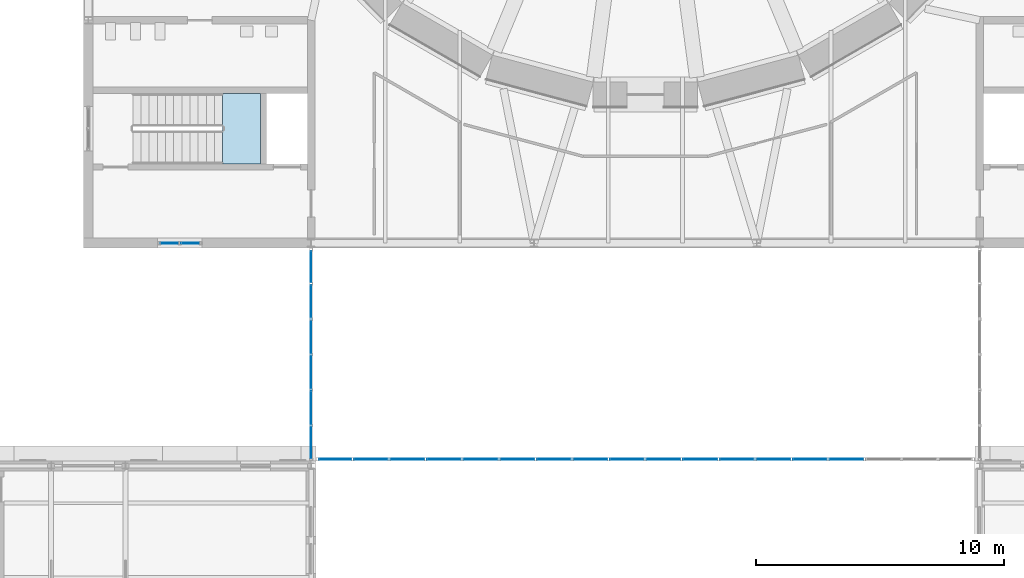
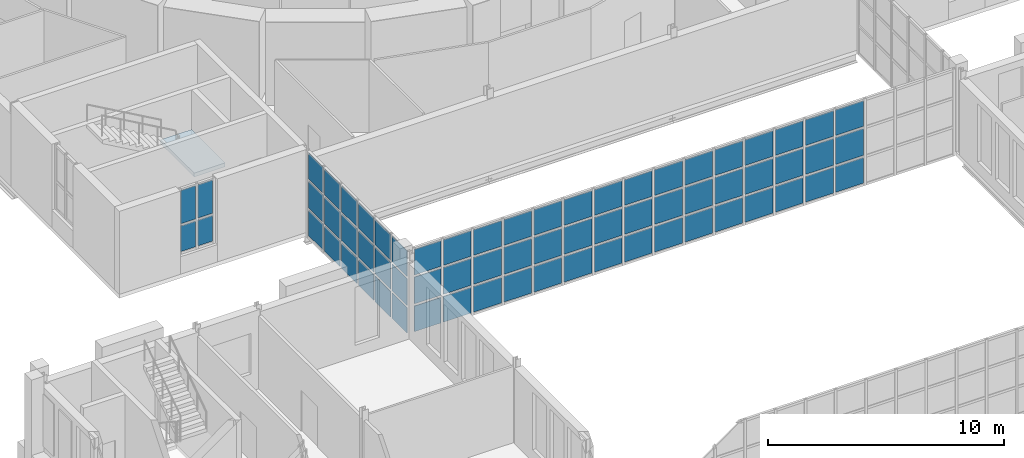
# One storey, part 66 of 131: 67 plates, 1 slab, 4 elements without a shape of their own.
"""IFC4 building model written with IfcOpenShell, lengths in metres."""

from ifc_helpers import new_model, si_unit, direction, frame, origin, origin_2d, place, context, subcontext, project, spatial, polyline, rectangle, outline, extrude, material, layer, layer_set, type_object, element, aggregate, save


model = new_model("IFC4")

# Units and contexts
model_context = context("Model", 3, precision=1e-05, world=origin(), true_north=direction((0.0, 1.0)))
body_context = subcontext(model_context, "Body", "Model", "MODEL_VIEW")
ifc_project = project(units=[si_unit("LENGTHUNIT", "METRE"), si_unit("AREAUNIT", "SQUARE_METRE"), si_unit("VOLUMEUNIT", "CUBIC_METRE"), si_unit("PLANEANGLEUNIT", "RADIAN"), si_unit("MASSUNIT", "GRAM", prefix="KILO")], contexts=[model_context])

# Site, building, storey
site_placement = place(None, origin())
site = spatial("IfcSite", under=ifc_project, at=site_placement, CompositionType="ELEMENT")
building_placement = place(site_placement, origin())
building = spatial("IfcBuilding", under=site, at=building_placement, Name="Golden Quay Civic Hall", CompositionType="ELEMENT")
storey_placement = place(building_placement, frame((0.0, 0.0, 9.89990234375)))
storey = spatial("IfcBuildingStorey", under=building, at=storey_placement, Name="L02", CompositionType="ELEMENT", Elevation=9.89990234375)

# Curtain wall, plates
ifc_material_1 = material(Name="Fire-resisting glass and steel", Category="steel")
curtain_wall_type_1 = type_object("IfcCurtainWallType", Name="Fire-resisting glazed curtain wall EI 120", PredefinedType="NOTDEFINED", material=ifc_material_1)
curtain_wall_1_placement = place(storey_placement, origin())
curtain_wall_1 = element("IfcCurtainWall", 1, at=curtain_wall_1_placement, inside=storey, type_object=curtain_wall_type_1, Name="CW3 curtain wall", PredefinedType="NOTDEFINED")
ifc_material_2 = material(Name="Fire-resisting laminated glass", Category="glass")
ifc_layer_1 = layer(ifc_material_2, 0.0400390625)
ifc_layer_set_1 = layer_set([ifc_layer_1], Name="Fire-resisting glazed panel 40")
plate_type_1 = type_object("IfcPlateType", Name="Fire-resisting glazed panel 40", PredefinedType="CURTAIN_PANEL", material=ifc_layer_set_1)
plate_1_placement = place(storey_placement, frame((72.968994140625, 54.27001953125, -0.080078125), z_axis=(0.0, 0.0, 1.0), x_axis=(1.0, 0.0, 0.0)))
plate_1 = element("IfcPlate", 2, at=plate_1_placement, type_object=plate_type_1, Name="CW3 panel 1.1", PredefinedType="CURTAIN_PANEL", context=body_context, shape_type="SweptSolid", body=[
    extrude(rectangle(XDim=1.2978515625, YDim=0.0400390625, at=origin_2d()), origin(), (0.0, 0.0, 1.0), 1.320068359375),
])
plate_2_placement = place(storey_placement, frame((72.968994140625, 54.27001953125, 1.360107421875), z_axis=(0.0, 0.0, 1.0), x_axis=(1.0, 0.0, 0.0)))
plate_2 = element("IfcPlate", 3, at=plate_2_placement, type_object=plate_type_1, Name="CW3 panel 1.2", PredefinedType="CURTAIN_PANEL", context=body_context, shape_type="SweptSolid", body=[
    extrude(rectangle(XDim=1.2978515625, YDim=0.0400390625, at=origin_2d()), origin(), (0.0, 0.0, 1.0), 1.3798828125),
])
plate_3_placement = place(storey_placement, frame((72.968994140625, 54.27001953125, 2.85986328125), z_axis=(0.0, 0.0, 1.0), x_axis=(1.0, 0.0, 0.0)))
plate_3 = element("IfcPlate", 4, at=plate_3_placement, type_object=plate_type_1, Name="CW3 panel 1.3", PredefinedType="CURTAIN_PANEL", context=body_context, shape_type="SweptSolid", body=[
    extrude(rectangle(XDim=1.2978515625, YDim=0.0400390625, at=origin_2d()), origin(), (0.0, 0.0, 1.0), 1.320068359375),
])
plate_4_placement = place(storey_placement, frame((74.416748046875, 54.27001953125, -0.080078125), z_axis=(0.0, 0.0, 1.0), x_axis=(1.0, 0.0, 0.0)))
plate_4 = element("IfcPlate", 5, at=plate_4_placement, type_object=plate_type_1, Name="CW3 panel 2.1", PredefinedType="CURTAIN_PANEL", context=body_context, shape_type="SweptSolid", body=[
    extrude(rectangle(XDim=1.357666015625, YDim=0.0400390625, at=origin_2d()), origin(), (0.0, 0.0, 1.0), 1.320068359375),
])
plate_5_placement = place(storey_placement, frame((74.416748046875, 54.27001953125, 1.360107421875), z_axis=(0.0, 0.0, 1.0), x_axis=(1.0, 0.0, 0.0)))
plate_5 = element("IfcPlate", 6, at=plate_5_placement, type_object=plate_type_1, Name="CW3 panel 2.2", PredefinedType="CURTAIN_PANEL", context=body_context, shape_type="SweptSolid", body=[
    extrude(rectangle(XDim=1.357666015625, YDim=0.0400390625, at=origin_2d()), origin(), (0.0, 0.0, 1.0), 1.3798828125),
])
plate_6_placement = place(storey_placement, frame((74.416748046875, 54.27001953125, 2.85986328125), z_axis=(0.0, 0.0, 1.0), x_axis=(1.0, 0.0, 0.0)))
plate_6 = element("IfcPlate", 7, at=plate_6_placement, type_object=plate_type_1, Name="CW3 panel 2.3", PredefinedType="CURTAIN_PANEL", context=body_context, shape_type="SweptSolid", body=[
    extrude(rectangle(XDim=1.357666015625, YDim=0.0400390625, at=origin_2d()), origin(), (0.0, 0.0, 1.0), 1.320068359375),
])
plate_7_placement = place(storey_placement, frame((75.89453125, 54.27001953125, -0.080078125), z_axis=(0.0, 0.0, 1.0), x_axis=(1.0, 0.0, 0.0)))
plate_7 = element("IfcPlate", 8, at=plate_7_placement, type_object=plate_type_1, Name="CW3 panel 3.1", PredefinedType="CURTAIN_PANEL", context=body_context, shape_type="SweptSolid", body=[
    extrude(rectangle(XDim=1.357666015625, YDim=0.0400390625, at=origin_2d()), origin(), (0.0, 0.0, 1.0), 1.320068359375),
])
plate_8_placement = place(storey_placement, frame((75.89453125, 54.27001953125, 1.360107421875), z_axis=(0.0, 0.0, 1.0), x_axis=(1.0, 0.0, 0.0)))
plate_8 = element("IfcPlate", 9, at=plate_8_placement, type_object=plate_type_1, Name="CW3 panel 3.2", PredefinedType="CURTAIN_PANEL", context=body_context, shape_type="SweptSolid", body=[
    extrude(rectangle(XDim=1.357666015625, YDim=0.0400390625, at=origin_2d()), origin(), (0.0, 0.0, 1.0), 1.3798828125),
])
plate_9_placement = place(storey_placement, frame((75.89453125, 54.27001953125, 2.85986328125), z_axis=(0.0, 0.0, 1.0), x_axis=(1.0, 0.0, 0.0)))
plate_9 = element("IfcPlate", 10, at=plate_9_placement, type_object=plate_type_1, Name="CW3 panel 3.3", PredefinedType="CURTAIN_PANEL", context=body_context, shape_type="SweptSolid", body=[
    extrude(rectangle(XDim=1.357666015625, YDim=0.0400390625, at=origin_2d()), origin(), (0.0, 0.0, 1.0), 1.320068359375),
])
plate_10_placement = place(storey_placement, frame((77.372314453125, 54.27001953125, -0.080078125), z_axis=(0.0, 0.0, 1.0), x_axis=(1.0, 0.0, 0.0)))
plate_10 = element("IfcPlate", 11, at=plate_10_placement, type_object=plate_type_1, Name="CW3 panel 4.1", PredefinedType="CURTAIN_PANEL", context=body_context, shape_type="SweptSolid", body=[
    extrude(rectangle(XDim=1.357666015625, YDim=0.0400390625, at=origin_2d()), origin(), (0.0, 0.0, 1.0), 1.320068359375),
])
plate_11_placement = place(storey_placement, frame((77.372314453125, 54.27001953125, 1.360107421875), z_axis=(0.0, 0.0, 1.0), x_axis=(1.0, 0.0, 0.0)))
plate_11 = element("IfcPlate", 12, at=plate_11_placement, type_object=plate_type_1, Name="CW3 panel 4.2", PredefinedType="CURTAIN_PANEL", context=body_context, shape_type="SweptSolid", body=[
    extrude(rectangle(XDim=1.357666015625, YDim=0.0400390625, at=origin_2d()), origin(), (0.0, 0.0, 1.0), 1.3798828125),
])
plate_12_placement = place(storey_placement, frame((77.372314453125, 54.27001953125, 2.85986328125), z_axis=(0.0, 0.0, 1.0), x_axis=(1.0, 0.0, 0.0)))
plate_12 = element("IfcPlate", 13, at=plate_12_placement, type_object=plate_type_1, Name="CW3 panel 4.3", PredefinedType="CURTAIN_PANEL", context=body_context, shape_type="SweptSolid", body=[
    extrude(rectangle(XDim=1.357666015625, YDim=0.0400390625, at=origin_2d()), origin(), (0.0, 0.0, 1.0), 1.320068359375),
])
plate_13_placement = place(storey_placement, frame((78.85009765625, 54.27001953125, -0.080078125), z_axis=(0.0, 0.0, 1.0), x_axis=(1.0, 0.0, 0.0)))
plate_13 = element("IfcPlate", 14, at=plate_13_placement, type_object=plate_type_1, Name="CW3 panel 5.1", PredefinedType="CURTAIN_PANEL", context=body_context, shape_type="SweptSolid", body=[
    extrude(rectangle(XDim=1.357666015625, YDim=0.0400390625, at=origin_2d()), origin(), (0.0, 0.0, 1.0), 1.320068359375),
])
plate_14_placement = place(storey_placement, frame((78.85009765625, 54.27001953125, 1.360107421875), z_axis=(0.0, 0.0, 1.0), x_axis=(1.0, 0.0, 0.0)))
plate_14 = element("IfcPlate", 15, at=plate_14_placement, type_object=plate_type_1, Name="CW3 panel 5.2", PredefinedType="CURTAIN_PANEL", context=body_context, shape_type="SweptSolid", body=[
    extrude(rectangle(XDim=1.357666015625, YDim=0.0400390625, at=origin_2d()), origin(), (0.0, 0.0, 1.0), 1.3798828125),
])
plate_15_placement = place(storey_placement, frame((78.85009765625, 54.27001953125, 2.85986328125), z_axis=(0.0, 0.0, 1.0), x_axis=(1.0, 0.0, 0.0)))
plate_15 = element("IfcPlate", 16, at=plate_15_placement, type_object=plate_type_1, Name="CW3 panel 5.3", PredefinedType="CURTAIN_PANEL", context=body_context, shape_type="SweptSolid", body=[
    extrude(rectangle(XDim=1.357666015625, YDim=0.0400390625, at=origin_2d()), origin(), (0.0, 0.0, 1.0), 1.320068359375),
])
plate_16_placement = place(storey_placement, frame((80.327880859375, 54.27001953125, -0.080078125), z_axis=(0.0, 0.0, 1.0), x_axis=(1.0, 0.0, 0.0)))
plate_16 = element("IfcPlate", 17, at=plate_16_placement, type_object=plate_type_1, Name="CW3 panel 6.1", PredefinedType="CURTAIN_PANEL", context=body_context, shape_type="SweptSolid", body=[
    extrude(rectangle(XDim=1.357666015625, YDim=0.0400390625, at=origin_2d()), origin(), (0.0, 0.0, 1.0), 1.320068359375),
])
plate_17_placement = place(storey_placement, frame((80.327880859375, 54.27001953125, 1.360107421875), z_axis=(0.0, 0.0, 1.0), x_axis=(1.0, 0.0, 0.0)))
plate_17 = element("IfcPlate", 18, at=plate_17_placement, type_object=plate_type_1, Name="CW3 panel 6.2", PredefinedType="CURTAIN_PANEL", context=body_context, shape_type="SweptSolid", body=[
    extrude(rectangle(XDim=1.357666015625, YDim=0.0400390625, at=origin_2d()), origin(), (0.0, 0.0, 1.0), 1.3798828125),
])
plate_18_placement = place(storey_placement, frame((80.327880859375, 54.27001953125, 2.85986328125), z_axis=(0.0, 0.0, 1.0), x_axis=(1.0, 0.0, 0.0)))
plate_18 = element("IfcPlate", 19, at=plate_18_placement, type_object=plate_type_1, Name="CW3 panel 6.3", PredefinedType="CURTAIN_PANEL", context=body_context, shape_type="SweptSolid", body=[
    extrude(rectangle(XDim=1.357666015625, YDim=0.0400390625, at=origin_2d()), origin(), (0.0, 0.0, 1.0), 1.320068359375),
])
plate_19_placement = place(storey_placement, frame((81.8056640625, 54.27001953125, -0.080078125), z_axis=(0.0, 0.0, 1.0), x_axis=(1.0, 0.0, 0.0)))
plate_19 = element("IfcPlate", 20, at=plate_19_placement, type_object=plate_type_1, Name="CW3 panel 7.1", PredefinedType="CURTAIN_PANEL", context=body_context, shape_type="SweptSolid", body=[
    extrude(rectangle(XDim=1.357666015625, YDim=0.0400390625, at=origin_2d()), origin(), (0.0, 0.0, 1.0), 1.320068359375),
])
plate_20_placement = place(storey_placement, frame((81.8056640625, 54.27001953125, 1.360107421875), z_axis=(0.0, 0.0, 1.0), x_axis=(1.0, 0.0, 0.0)))
plate_20 = element("IfcPlate", 21, at=plate_20_placement, type_object=plate_type_1, Name="CW3 panel 7.2", PredefinedType="CURTAIN_PANEL", context=body_context, shape_type="SweptSolid", body=[
    extrude(rectangle(XDim=1.357666015625, YDim=0.0400390625, at=origin_2d()), origin(), (0.0, 0.0, 1.0), 1.3798828125),
])
plate_21_placement = place(storey_placement, frame((81.8056640625, 54.27001953125, 2.85986328125), z_axis=(0.0, 0.0, 1.0), x_axis=(1.0, 0.0, 0.0)))
plate_21 = element("IfcPlate", 22, at=plate_21_placement, type_object=plate_type_1, Name="CW3 panel 7.3", PredefinedType="CURTAIN_PANEL", context=body_context, shape_type="SweptSolid", body=[
    extrude(rectangle(XDim=1.357666015625, YDim=0.0400390625, at=origin_2d()), origin(), (0.0, 0.0, 1.0), 1.320068359375),
])
plate_22_placement = place(storey_placement, frame((83.283447265625, 54.27001953125, -0.080078125), z_axis=(0.0, 0.0, 1.0), x_axis=(1.0, 0.0, 0.0)))
plate_22 = element("IfcPlate", 23, at=plate_22_placement, type_object=plate_type_1, Name="CW3 panel 8.1", PredefinedType="CURTAIN_PANEL", context=body_context, shape_type="SweptSolid", body=[
    extrude(rectangle(XDim=1.357666015625, YDim=0.0400390625, at=origin_2d()), origin(), (0.0, 0.0, 1.0), 1.320068359375),
])
plate_23_placement = place(storey_placement, frame((83.283447265625, 54.27001953125, 1.360107421875), z_axis=(0.0, 0.0, 1.0), x_axis=(1.0, 0.0, 0.0)))
plate_23 = element("IfcPlate", 24, at=plate_23_placement, type_object=plate_type_1, Name="CW3 panel 8.2", PredefinedType="CURTAIN_PANEL", context=body_context, shape_type="SweptSolid", body=[
    extrude(rectangle(XDim=1.357666015625, YDim=0.0400390625, at=origin_2d()), origin(), (0.0, 0.0, 1.0), 1.3798828125),
])
plate_24_placement = place(storey_placement, frame((83.283447265625, 54.27001953125, 2.85986328125), z_axis=(0.0, 0.0, 1.0), x_axis=(1.0, 0.0, 0.0)))
plate_24 = element("IfcPlate", 25, at=plate_24_placement, type_object=plate_type_1, Name="CW3 panel 8.3", PredefinedType="CURTAIN_PANEL", context=body_context, shape_type="SweptSolid", body=[
    extrude(rectangle(XDim=1.357666015625, YDim=0.0400390625, at=origin_2d()), origin(), (0.0, 0.0, 1.0), 1.320068359375),
])
plate_25_placement = place(storey_placement, frame((84.76123046875, 54.27001953125, -0.080078125), z_axis=(0.0, 0.0, 1.0), x_axis=(1.0, 0.0, 0.0)))
plate_25 = element("IfcPlate", 26, at=plate_25_placement, type_object=plate_type_1, Name="CW3 panel 9.1", PredefinedType="CURTAIN_PANEL", context=body_context, shape_type="SweptSolid", body=[
    extrude(rectangle(XDim=1.357666015625, YDim=0.0400390625, at=origin_2d()), origin(), (0.0, 0.0, 1.0), 1.320068359375),
])
plate_26_placement = place(storey_placement, frame((84.76123046875, 54.27001953125, 1.360107421875), z_axis=(0.0, 0.0, 1.0), x_axis=(1.0, 0.0, 0.0)))
plate_26 = element("IfcPlate", 27, at=plate_26_placement, type_object=plate_type_1, Name="CW3 panel 9.2", PredefinedType="CURTAIN_PANEL", context=body_context, shape_type="SweptSolid", body=[
    extrude(rectangle(XDim=1.357666015625, YDim=0.0400390625, at=origin_2d()), origin(), (0.0, 0.0, 1.0), 1.3798828125),
])
plate_27_placement = place(storey_placement, frame((84.76123046875, 54.27001953125, 2.85986328125), z_axis=(0.0, 0.0, 1.0), x_axis=(1.0, 0.0, 0.0)))
plate_27 = element("IfcPlate", 28, at=plate_27_placement, type_object=plate_type_1, Name="CW3 panel 9.3", PredefinedType="CURTAIN_PANEL", context=body_context, shape_type="SweptSolid", body=[
    extrude(rectangle(XDim=1.357666015625, YDim=0.0400390625, at=origin_2d()), origin(), (0.0, 0.0, 1.0), 1.320068359375),
])
plate_28_placement = place(storey_placement, frame((86.23876953125, 54.27001953125, -0.080078125), z_axis=(0.0, 0.0, 1.0), x_axis=(1.0, 0.0, 0.0)))
plate_28 = element("IfcPlate", 29, at=plate_28_placement, type_object=plate_type_1, Name="CW3 panel 10.1", PredefinedType="CURTAIN_PANEL", context=body_context, shape_type="SweptSolid", body=[
    extrude(rectangle(XDim=1.357666015625, YDim=0.0400390625, at=origin_2d()), origin(), (0.0, 0.0, 1.0), 1.320068359375),
])
plate_29_placement = place(storey_placement, frame((86.23876953125, 54.27001953125, 1.360107421875), z_axis=(0.0, 0.0, 1.0), x_axis=(1.0, 0.0, 0.0)))
plate_29 = element("IfcPlate", 30, at=plate_29_placement, type_object=plate_type_1, Name="CW3 panel 10.2", PredefinedType="CURTAIN_PANEL", context=body_context, shape_type="SweptSolid", body=[
    extrude(rectangle(XDim=1.357666015625, YDim=0.0400390625, at=origin_2d()), origin(), (0.0, 0.0, 1.0), 1.3798828125),
])
plate_30_placement = place(storey_placement, frame((86.23876953125, 54.27001953125, 2.85986328125), z_axis=(0.0, 0.0, 1.0), x_axis=(1.0, 0.0, 0.0)))
plate_30 = element("IfcPlate", 31, at=plate_30_placement, type_object=plate_type_1, Name="CW3 panel 10.3", PredefinedType="CURTAIN_PANEL", context=body_context, shape_type="SweptSolid", body=[
    extrude(rectangle(XDim=1.357666015625, YDim=0.0400390625, at=origin_2d()), origin(), (0.0, 0.0, 1.0), 1.320068359375),
])
plate_31_placement = place(storey_placement, frame((87.716552734375, 54.27001953125, -0.080078125), z_axis=(0.0, 0.0, 1.0), x_axis=(1.0, 0.0, 0.0)))
plate_31 = element("IfcPlate", 32, at=plate_31_placement, type_object=plate_type_1, Name="CW3 panel 11.1", PredefinedType="CURTAIN_PANEL", context=body_context, shape_type="SweptSolid", body=[
    extrude(rectangle(XDim=1.357666015625, YDim=0.0400390625, at=origin_2d()), origin(), (0.0, 0.0, 1.0), 1.320068359375),
])
plate_32_placement = place(storey_placement, frame((87.716552734375, 54.27001953125, 1.360107421875), z_axis=(0.0, 0.0, 1.0), x_axis=(1.0, 0.0, 0.0)))
plate_32 = element("IfcPlate", 33, at=plate_32_placement, type_object=plate_type_1, Name="CW3 panel 11.2", PredefinedType="CURTAIN_PANEL", context=body_context, shape_type="SweptSolid", body=[
    extrude(rectangle(XDim=1.357666015625, YDim=0.0400390625, at=origin_2d()), origin(), (0.0, 0.0, 1.0), 1.3798828125),
])
plate_33_placement = place(storey_placement, frame((87.716552734375, 54.27001953125, 2.85986328125), z_axis=(0.0, 0.0, 1.0), x_axis=(1.0, 0.0, 0.0)))
plate_33 = element("IfcPlate", 34, at=plate_33_placement, type_object=plate_type_1, Name="CW3 panel 11.3", PredefinedType="CURTAIN_PANEL", context=body_context, shape_type="SweptSolid", body=[
    extrude(rectangle(XDim=1.357666015625, YDim=0.0400390625, at=origin_2d()), origin(), (0.0, 0.0, 1.0), 1.320068359375),
])
plate_34_placement = place(storey_placement, frame((89.1943359375, 54.27001953125, -0.080078125), z_axis=(0.0, 0.0, 1.0), x_axis=(1.0, 0.0, 0.0)))
plate_34 = element("IfcPlate", 35, at=plate_34_placement, type_object=plate_type_1, Name="CW3 panel 12.1", PredefinedType="CURTAIN_PANEL", context=body_context, shape_type="SweptSolid", body=[
    extrude(rectangle(XDim=1.357666015625, YDim=0.0400390625, at=origin_2d()), origin(), (0.0, 0.0, 1.0), 1.320068359375),
])
plate_35_placement = place(storey_placement, frame((89.1943359375, 54.27001953125, 1.360107421875), z_axis=(0.0, 0.0, 1.0), x_axis=(1.0, 0.0, 0.0)))
plate_35 = element("IfcPlate", 36, at=plate_35_placement, type_object=plate_type_1, Name="CW3 panel 12.2", PredefinedType="CURTAIN_PANEL", context=body_context, shape_type="SweptSolid", body=[
    extrude(rectangle(XDim=1.357666015625, YDim=0.0400390625, at=origin_2d()), origin(), (0.0, 0.0, 1.0), 1.3798828125),
])
plate_36_placement = place(storey_placement, frame((89.1943359375, 54.27001953125, 2.85986328125), z_axis=(0.0, 0.0, 1.0), x_axis=(1.0, 0.0, 0.0)))
plate_36 = element("IfcPlate", 37, at=plate_36_placement, type_object=plate_type_1, Name="CW3 panel 12.3", PredefinedType="CURTAIN_PANEL", context=body_context, shape_type="SweptSolid", body=[
    extrude(rectangle(XDim=1.357666015625, YDim=0.0400390625, at=origin_2d()), origin(), (0.0, 0.0, 1.0), 1.320068359375),
])
plate_37_placement = place(storey_placement, frame((90.672119140625, 54.27001953125, -0.080078125), z_axis=(0.0, 0.0, 1.0), x_axis=(1.0, 0.0, 0.0)))
plate_37 = element("IfcPlate", 38, at=plate_37_placement, type_object=plate_type_1, Name="CW3 panel 13.1", PredefinedType="CURTAIN_PANEL", context=body_context, shape_type="SweptSolid", body=[
    extrude(rectangle(XDim=1.357666015625, YDim=0.0400390625, at=origin_2d()), origin(), (0.0, 0.0, 1.0), 1.320068359375),
])
plate_38_placement = place(storey_placement, frame((90.672119140625, 54.27001953125, 1.360107421875), z_axis=(0.0, 0.0, 1.0), x_axis=(1.0, 0.0, 0.0)))
plate_38 = element("IfcPlate", 39, at=plate_38_placement, type_object=plate_type_1, Name="CW3 panel 13.2", PredefinedType="CURTAIN_PANEL", context=body_context, shape_type="SweptSolid", body=[
    extrude(rectangle(XDim=1.357666015625, YDim=0.0400390625, at=origin_2d()), origin(), (0.0, 0.0, 1.0), 1.3798828125),
])
plate_39_placement = place(storey_placement, frame((90.672119140625, 54.27001953125, 2.85986328125), z_axis=(0.0, 0.0, 1.0), x_axis=(1.0, 0.0, 0.0)))
plate_39 = element("IfcPlate", 40, at=plate_39_placement, type_object=plate_type_1, Name="CW3 panel 13.3", PredefinedType="CURTAIN_PANEL", context=body_context, shape_type="SweptSolid", body=[
    extrude(rectangle(XDim=1.357666015625, YDim=0.0400390625, at=origin_2d()), origin(), (0.0, 0.0, 1.0), 1.320068359375),
])
plate_40_placement = place(storey_placement, frame((92.14990234375, 54.27001953125, -0.080078125), z_axis=(0.0, 0.0, 1.0), x_axis=(1.0, 0.0, 0.0)))
plate_40 = element("IfcPlate", 41, at=plate_40_placement, type_object=plate_type_1, Name="CW3 panel 14.1", PredefinedType="CURTAIN_PANEL", context=body_context, shape_type="SweptSolid", body=[
    extrude(rectangle(XDim=1.357666015625, YDim=0.0400390625, at=origin_2d()), origin(), (0.0, 0.0, 1.0), 1.320068359375),
])
plate_41_placement = place(storey_placement, frame((92.14990234375, 54.27001953125, 1.360107421875), z_axis=(0.0, 0.0, 1.0), x_axis=(1.0, 0.0, 0.0)))
plate_41 = element("IfcPlate", 42, at=plate_41_placement, type_object=plate_type_1, Name="CW3 panel 14.2", PredefinedType="CURTAIN_PANEL", context=body_context, shape_type="SweptSolid", body=[
    extrude(rectangle(XDim=1.357666015625, YDim=0.0400390625, at=origin_2d()), origin(), (0.0, 0.0, 1.0), 1.3798828125),
])
plate_42_placement = place(storey_placement, frame((92.14990234375, 54.27001953125, 2.85986328125), z_axis=(0.0, 0.0, 1.0), x_axis=(1.0, 0.0, 0.0)))
plate_42 = element("IfcPlate", 43, at=plate_42_placement, type_object=plate_type_1, Name="CW3 panel 14.3", PredefinedType="CURTAIN_PANEL", context=body_context, shape_type="SweptSolid", body=[
    extrude(rectangle(XDim=1.357666015625, YDim=0.0400390625, at=origin_2d()), origin(), (0.0, 0.0, 1.0), 1.320068359375),
])
plate_43_placement = place(storey_placement, frame((93.627685546875, 54.27001953125, -0.080078125), z_axis=(0.0, 0.0, 1.0), x_axis=(1.0, 0.0, 0.0)))
plate_43 = element("IfcPlate", 44, at=plate_43_placement, type_object=plate_type_1, Name="CW3 panel 15.1", PredefinedType="CURTAIN_PANEL", context=body_context, shape_type="SweptSolid", body=[
    extrude(rectangle(XDim=1.357666015625, YDim=0.0400390625, at=origin_2d()), origin(), (0.0, 0.0, 1.0), 1.320068359375),
])
plate_44_placement = place(storey_placement, frame((93.627685546875, 54.27001953125, 1.360107421875), z_axis=(0.0, 0.0, 1.0), x_axis=(1.0, 0.0, 0.0)))
plate_44 = element("IfcPlate", 45, at=plate_44_placement, type_object=plate_type_1, Name="CW3 panel 15.2", PredefinedType="CURTAIN_PANEL", context=body_context, shape_type="SweptSolid", body=[
    extrude(rectangle(XDim=1.357666015625, YDim=0.0400390625, at=origin_2d()), origin(), (0.0, 0.0, 1.0), 1.3798828125),
])
plate_45_placement = place(storey_placement, frame((93.627685546875, 54.27001953125, 2.85986328125), z_axis=(0.0, 0.0, 1.0), x_axis=(1.0, 0.0, 0.0)))
plate_45 = element("IfcPlate", 46, at=plate_45_placement, type_object=plate_type_1, Name="CW3 panel 15.3", PredefinedType="CURTAIN_PANEL", context=body_context, shape_type="SweptSolid", body=[
    extrude(rectangle(XDim=1.357666015625, YDim=0.0400390625, at=origin_2d()), origin(), (0.0, 0.0, 1.0), 1.320068359375),
])
aggregate(curtain_wall_1, [plate_1, plate_2, plate_3, plate_4, plate_5, plate_6, plate_7, plate_8, plate_9, plate_10, plate_11, plate_12, plate_13, plate_14, plate_15, plate_16, plate_17, plate_18, plate_19, plate_20, plate_21, plate_22, plate_23, plate_24, plate_25, plate_26, plate_27, plate_28, plate_29, plate_30, plate_31, plate_32, plate_33, plate_34, plate_35, plate_36, plate_37, plate_38, plate_39, plate_40, plate_41, plate_42, plate_43, plate_44, plate_45])

ifc_material_3 = material(Name="Fire-resisting glass and steel", Category="steel")
curtain_wall_type_2 = type_object("IfcCurtainWallType", Name="Fire-resisting glazed stair curtain wall EI 120", PredefinedType="NOTDEFINED", material=ifc_material_3)
curtain_wall_2_placement = place(storey_placement, origin())
curtain_wall_2 = element("IfcCurtainWall", 47, at=curtain_wall_2_placement, inside=storey, type_object=curtain_wall_type_2, Name="CW4 stair curtain wall", PredefinedType="NOTDEFINED")
ifc_material_4 = material(Name="Fire-resisting laminated glass", Category="glass")
ifc_layer_2 = layer(ifc_material_4, 0.0400390625)
ifc_layer_set_2 = layer_set([ifc_layer_2], Name="Fire-resisting glazed stair panel 40")
plate_type_2 = type_object("IfcPlateType", Name="Fire-resisting glazed stair panel 40", PredefinedType="CURTAIN_PANEL", material=ifc_layer_set_2)
plate_46_placement = place(storey_placement, frame((66.280029296875, 63.0, 1.02001953125), z_axis=(0.0, 0.0, 1.0), x_axis=(1.0, 0.0, 0.0)))
plate_46 = element("IfcPlate", 48, at=plate_46_placement, type_object=plate_type_2, Name="CW4 panel 1.1", PredefinedType="CURTAIN_PANEL", context=body_context, shape_type="SweptSolid", body=[
    extrude(rectangle(XDim=0.719970703125, YDim=0.0400390625, at=origin_2d()), origin(), (0.0, 0.0, 1.0), 1.320068359375),
])
plate_47_placement = place(storey_placement, frame((66.280029296875, 63.0, 2.4599609375), z_axis=(0.0, 0.0, 1.0), x_axis=(1.0, 0.0, 0.0)))
plate_47 = element("IfcPlate", 49, at=plate_47_placement, type_object=plate_type_2, Name="CW4 panel 1.2", PredefinedType="CURTAIN_PANEL", context=body_context, shape_type="SweptSolid", body=[
    extrude(rectangle(XDim=0.719970703125, YDim=0.0400390625, at=origin_2d()), origin(), (0.0, 0.0, 1.0), 1.719970703125),
])
plate_48_placement = place(storey_placement, frame((67.1201171875, 63.0, 1.02001953125), z_axis=(0.0, 0.0, 1.0), x_axis=(1.0, 0.0, 0.0)))
plate_48 = element("IfcPlate", 50, at=plate_48_placement, type_object=plate_type_2, Name="CW4 panel 2.1", PredefinedType="CURTAIN_PANEL", context=body_context, shape_type="SweptSolid", body=[
    extrude(rectangle(XDim=0.719970703125, YDim=0.0400390625, at=origin_2d()), origin(), (0.0, 0.0, 1.0), 1.320068359375),
])
plate_49_placement = place(storey_placement, frame((67.1201171875, 63.0, 2.4599609375), z_axis=(0.0, 0.0, 1.0), x_axis=(1.0, 0.0, 0.0)))
plate_49 = element("IfcPlate", 51, at=plate_49_placement, type_object=plate_type_2, Name="CW4 panel 2.2", PredefinedType="CURTAIN_PANEL", context=body_context, shape_type="SweptSolid", body=[
    extrude(rectangle(XDim=0.719970703125, YDim=0.0400390625, at=origin_2d()), origin(), (0.0, 0.0, 1.0), 1.719970703125),
])
aggregate(curtain_wall_2, [plate_46, plate_47, plate_48, plate_49])

ifc_material_5 = material(Name="Glass and aluminium", Category="aluminium")
curtain_wall_type_3 = type_object("IfcCurtainWallType", Name="Glazed curtain wall 1500 module", PredefinedType="NOTDEFINED", material=ifc_material_5)
curtain_wall_3_placement = place(storey_placement, origin())
curtain_wall_3 = element("IfcCurtainWall", 52, at=curtain_wall_3_placement, inside=storey, type_object=curtain_wall_type_3, Name="CW1 curtain wall", PredefinedType="NOTDEFINED")
ifc_material_6 = material(Name="Laminated glass", Category="glass")
ifc_layer_3 = layer(ifc_material_6, 0.028076171875)
ifc_layer_set_3 = layer_set([ifc_layer_3], Name="Laminated glass panel 28")
plate_type_3 = type_object("IfcPlateType", Name="Laminated glass panel 28", PredefinedType="CURTAIN_PANEL", material=ifc_layer_set_3)
plate_50_placement = place(storey_placement, frame((72.0, 54.94677734375, -0.080078125), z_axis=(0.0, 0.0, 1.0), x_axis=(0.0, 1.0, 0.0)))
plate_50 = element("IfcPlate", 53, at=plate_50_placement, type_object=plate_type_3, Name="CW1 panel 1.1", PredefinedType="CURTAIN_PANEL", context=body_context, shape_type="SweptSolid", body=[
    extrude(rectangle(XDim=1.25341796875, YDim=0.028076171875, at=origin_2d()), origin(), (0.0, 0.0, 1.0), 1.320068359375),
])
plate_51_placement = place(storey_placement, frame((72.0, 54.94677734375, 1.360107421875), z_axis=(0.0, 0.0, 1.0), x_axis=(0.0, 1.0, 0.0)))
plate_51 = element("IfcPlate", 54, at=plate_51_placement, type_object=plate_type_3, Name="CW1 panel 1.2", PredefinedType="CURTAIN_PANEL", context=body_context, shape_type="SweptSolid", body=[
    extrude(rectangle(XDim=1.25341796875, YDim=0.028076171875, at=origin_2d()), origin(), (0.0, 0.0, 1.0), 1.3798828125),
])
plate_52_placement = place(storey_placement, frame((72.0, 54.94677734375, 2.85986328125), z_axis=(0.0, 0.0, 1.0), x_axis=(0.0, 1.0, 0.0)))
plate_52 = element("IfcPlate", 55, at=plate_52_placement, type_object=plate_type_3, Name="CW1 panel 1.3", PredefinedType="CURTAIN_PANEL", context=body_context, shape_type="SweptSolid", body=[
    extrude(rectangle(XDim=1.25341796875, YDim=0.028076171875, at=origin_2d()), origin(), (0.0, 0.0, 1.0), 1.320068359375),
])
plate_53_placement = place(storey_placement, frame((72.0, 56.35009765625, -0.080078125), z_axis=(0.0, 0.0, 1.0), x_axis=(0.0, 1.0, 0.0)))
plate_53 = element("IfcPlate", 56, at=plate_53_placement, type_object=plate_type_3, Name="CW1 panel 2.1", PredefinedType="CURTAIN_PANEL", context=body_context, shape_type="SweptSolid", body=[
    extrude(rectangle(XDim=1.313232421875, YDim=0.028076171875, at=origin_2d()), origin(), (0.0, 0.0, 1.0), 1.320068359375),
])
plate_54_placement = place(storey_placement, frame((72.0, 56.35009765625, 1.360107421875), z_axis=(0.0, 0.0, 1.0), x_axis=(0.0, 1.0, 0.0)))
plate_54 = element("IfcPlate", 57, at=plate_54_placement, type_object=plate_type_3, Name="CW1 panel 2.2", PredefinedType="CURTAIN_PANEL", context=body_context, shape_type="SweptSolid", body=[
    extrude(rectangle(XDim=1.313232421875, YDim=0.028076171875, at=origin_2d()), origin(), (0.0, 0.0, 1.0), 1.3798828125),
])
plate_55_placement = place(storey_placement, frame((72.0, 56.35009765625, 2.85986328125), z_axis=(0.0, 0.0, 1.0), x_axis=(0.0, 1.0, 0.0)))
plate_55 = element("IfcPlate", 58, at=plate_55_placement, type_object=plate_type_3, Name="CW1 panel 2.3", PredefinedType="CURTAIN_PANEL", context=body_context, shape_type="SweptSolid", body=[
    extrude(rectangle(XDim=1.313232421875, YDim=0.028076171875, at=origin_2d()), origin(), (0.0, 0.0, 1.0), 1.320068359375),
])
plate_56_placement = place(storey_placement, frame((72.0, 57.783447265625, -0.080078125), z_axis=(0.0, 0.0, 1.0), x_axis=(0.0, 1.0, 0.0)))
plate_56 = element("IfcPlate", 59, at=plate_56_placement, type_object=plate_type_3, Name="CW1 panel 3.1", PredefinedType="CURTAIN_PANEL", context=body_context, shape_type="SweptSolid", body=[
    extrude(rectangle(XDim=1.313232421875, YDim=0.028076171875, at=origin_2d()), origin(), (0.0, 0.0, 1.0), 1.320068359375),
])
plate_57_placement = place(storey_placement, frame((72.0, 57.783447265625, 1.360107421875), z_axis=(0.0, 0.0, 1.0), x_axis=(0.0, 1.0, 0.0)))
plate_57 = element("IfcPlate", 60, at=plate_57_placement, type_object=plate_type_3, Name="CW1 panel 3.2", PredefinedType="CURTAIN_PANEL", context=body_context, shape_type="SweptSolid", body=[
    extrude(rectangle(XDim=1.313232421875, YDim=0.028076171875, at=origin_2d()), origin(), (0.0, 0.0, 1.0), 1.3798828125),
])
plate_58_placement = place(storey_placement, frame((72.0, 57.783447265625, 2.85986328125), z_axis=(0.0, 0.0, 1.0), x_axis=(0.0, 1.0, 0.0)))
plate_58 = element("IfcPlate", 61, at=plate_58_placement, type_object=plate_type_3, Name="CW1 panel 3.3", PredefinedType="CURTAIN_PANEL", context=body_context, shape_type="SweptSolid", body=[
    extrude(rectangle(XDim=1.313232421875, YDim=0.028076171875, at=origin_2d()), origin(), (0.0, 0.0, 1.0), 1.320068359375),
])
plate_59_placement = place(storey_placement, frame((72.0, 59.216552734375, -0.080078125), z_axis=(0.0, 0.0, 1.0), x_axis=(0.0, 1.0, 0.0)))
plate_59 = element("IfcPlate", 62, at=plate_59_placement, type_object=plate_type_3, Name="CW1 panel 4.1", PredefinedType="CURTAIN_PANEL", context=body_context, shape_type="SweptSolid", body=[
    extrude(rectangle(XDim=1.313232421875, YDim=0.028076171875, at=origin_2d()), origin(), (0.0, 0.0, 1.0), 1.320068359375),
])
plate_60_placement = place(storey_placement, frame((72.0, 59.216552734375, 1.360107421875), z_axis=(0.0, 0.0, 1.0), x_axis=(0.0, 1.0, 0.0)))
plate_60 = element("IfcPlate", 63, at=plate_60_placement, type_object=plate_type_3, Name="CW1 panel 4.2", PredefinedType="CURTAIN_PANEL", context=body_context, shape_type="SweptSolid", body=[
    extrude(rectangle(XDim=1.313232421875, YDim=0.028076171875, at=origin_2d()), origin(), (0.0, 0.0, 1.0), 1.3798828125),
])
plate_61_placement = place(storey_placement, frame((72.0, 59.216552734375, 2.85986328125), z_axis=(0.0, 0.0, 1.0), x_axis=(0.0, 1.0, 0.0)))
plate_61 = element("IfcPlate", 64, at=plate_61_placement, type_object=plate_type_3, Name="CW1 panel 4.3", PredefinedType="CURTAIN_PANEL", context=body_context, shape_type="SweptSolid", body=[
    extrude(rectangle(XDim=1.313232421875, YDim=0.028076171875, at=origin_2d()), origin(), (0.0, 0.0, 1.0), 1.320068359375),
])
plate_62_placement = place(storey_placement, frame((72.0, 60.64990234375, -0.080078125), z_axis=(0.0, 0.0, 1.0), x_axis=(0.0, 1.0, 0.0)))
plate_62 = element("IfcPlate", 65, at=plate_62_placement, type_object=plate_type_3, Name="CW1 panel 5.1", PredefinedType="CURTAIN_PANEL", context=body_context, shape_type="SweptSolid", body=[
    extrude(rectangle(XDim=1.313232421875, YDim=0.028076171875, at=origin_2d()), origin(), (0.0, 0.0, 1.0), 1.320068359375),
])
plate_63_placement = place(storey_placement, frame((72.0, 60.64990234375, 1.360107421875), z_axis=(0.0, 0.0, 1.0), x_axis=(0.0, 1.0, 0.0)))
plate_63 = element("IfcPlate", 66, at=plate_63_placement, type_object=plate_type_3, Name="CW1 panel 5.2", PredefinedType="CURTAIN_PANEL", context=body_context, shape_type="SweptSolid", body=[
    extrude(rectangle(XDim=1.313232421875, YDim=0.028076171875, at=origin_2d()), origin(), (0.0, 0.0, 1.0), 1.3798828125),
])
plate_64_placement = place(storey_placement, frame((72.0, 60.64990234375, 2.85986328125), z_axis=(0.0, 0.0, 1.0), x_axis=(0.0, 1.0, 0.0)))
plate_64 = element("IfcPlate", 67, at=plate_64_placement, type_object=plate_type_3, Name="CW1 panel 5.3", PredefinedType="CURTAIN_PANEL", context=body_context, shape_type="SweptSolid", body=[
    extrude(rectangle(XDim=1.313232421875, YDim=0.028076171875, at=origin_2d()), origin(), (0.0, 0.0, 1.0), 1.320068359375),
])
plate_65_placement = place(storey_placement, frame((72.0, 62.05322265625, -0.080078125), z_axis=(0.0, 0.0, 1.0), x_axis=(0.0, 1.0, 0.0)))
plate_65 = element("IfcPlate", 68, at=plate_65_placement, type_object=plate_type_3, Name="CW1 panel 6.1", PredefinedType="CURTAIN_PANEL", context=body_context, shape_type="SweptSolid", body=[
    extrude(rectangle(XDim=1.25341796875, YDim=0.028076171875, at=origin_2d()), origin(), (0.0, 0.0, 1.0), 1.320068359375),
])
plate_66_placement = place(storey_placement, frame((72.0, 62.05322265625, 1.360107421875), z_axis=(0.0, 0.0, 1.0), x_axis=(0.0, 1.0, 0.0)))
plate_66 = element("IfcPlate", 69, at=plate_66_placement, type_object=plate_type_3, Name="CW1 panel 6.2", PredefinedType="CURTAIN_PANEL", context=body_context, shape_type="SweptSolid", body=[
    extrude(rectangle(XDim=1.25341796875, YDim=0.028076171875, at=origin_2d()), origin(), (0.0, 0.0, 1.0), 1.3798828125),
])
plate_67_placement = place(storey_placement, frame((72.0, 62.05322265625, 2.85986328125), z_axis=(0.0, 0.0, 1.0), x_axis=(0.0, 1.0, 0.0)))
plate_67 = element("IfcPlate", 70, at=plate_67_placement, type_object=plate_type_3, Name="CW1 panel 6.3", PredefinedType="CURTAIN_PANEL", context=body_context, shape_type="SweptSolid", body=[
    extrude(rectangle(XDim=1.25341796875, YDim=0.028076171875, at=origin_2d()), origin(), (0.0, 0.0, 1.0), 1.320068359375),
])
aggregate(curtain_wall_3, [plate_50, plate_51, plate_52, plate_53, plate_54, plate_55, plate_56, plate_57, plate_58, plate_59, plate_60, plate_61, plate_62, plate_63, plate_64, plate_65, plate_66, plate_67])

# Stair, slab
ifc_material_7 = material(Name="Concrete C35/45", Category="concrete")
stair_type = type_object("IfcStairType", Name="Reinforced concrete stair 1350", PredefinedType="HALF_TURN_STAIR", material=ifc_material_7)
stair_placement = place(storey_placement, origin())
stair = element("IfcStair", 71, at=stair_placement, inside=storey, type_object=stair_type, Name="L02 Core stair SW", PredefinedType="HALF_TURN_STAIR")
ifc_material_8 = material(Name="Concrete C35/45", Category="concrete")
ifc_layer_4 = layer(ifc_material_8, 0.199951171875)
ifc_layer_set_4 = layer_set([ifc_layer_4], Name="Reinforced concrete stair landing 200, Concrete C35/45")
slab_type = type_object("IfcSlabType", Name="Reinforced concrete stair landing 200", PredefinedType="LANDING", material=ifc_layer_set_4)
slab_placement = place(storey_placement, frame((0.0, 0.0, 2.050048828125)))
slab = element("IfcSlab", 72, at=slab_placement, type_object=slab_type, Name="CB-SW landing 1", PredefinedType="LANDING", context=body_context, shape_type="SweptSolid", body=[
    extrude(outline(polyline([(68.429931640625, 66.199951171875), (69.949951171875, 66.199951171875), (69.949951171875, 69.050048828125), (68.429931640625, 69.050048828125), (68.429931640625, 66.199951171875)])), origin(), (0.0, 0.0, 1.0), 0.199951171875),
])
aggregate(stair, [slab])

save(model, "model.ifc")
